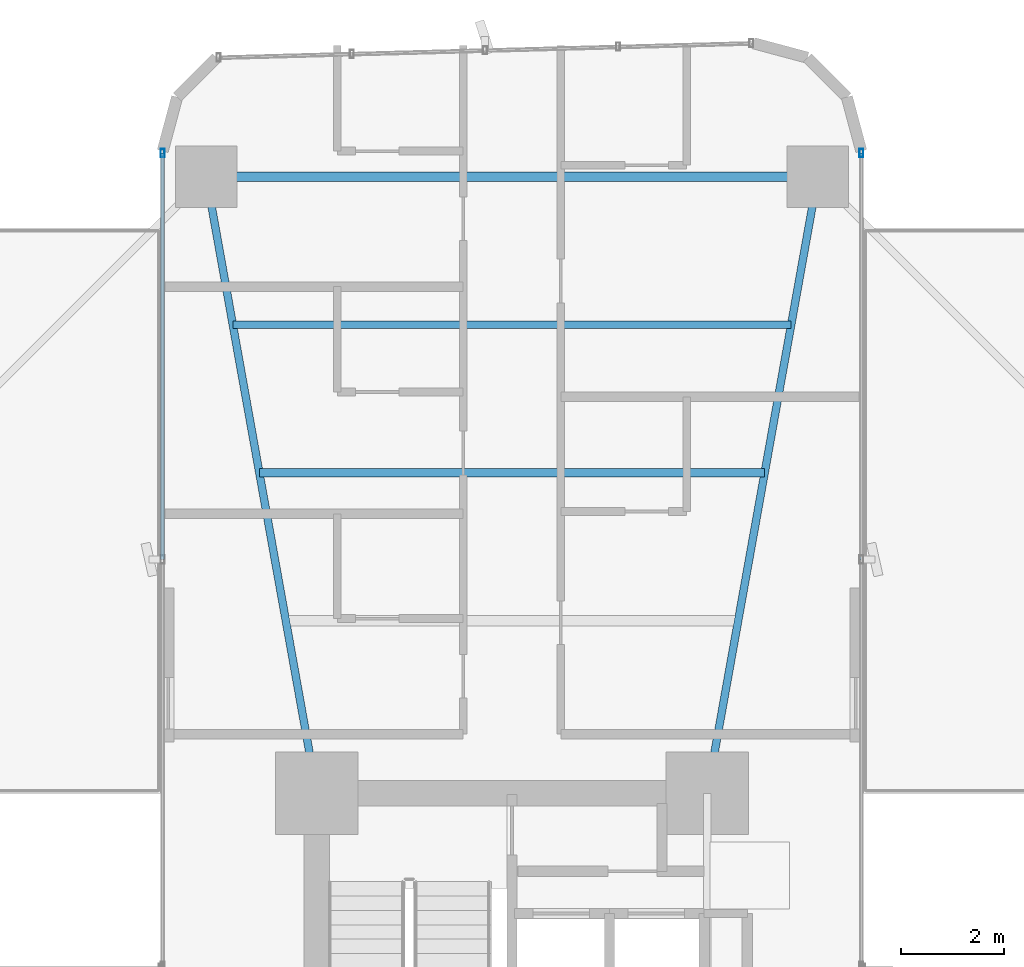
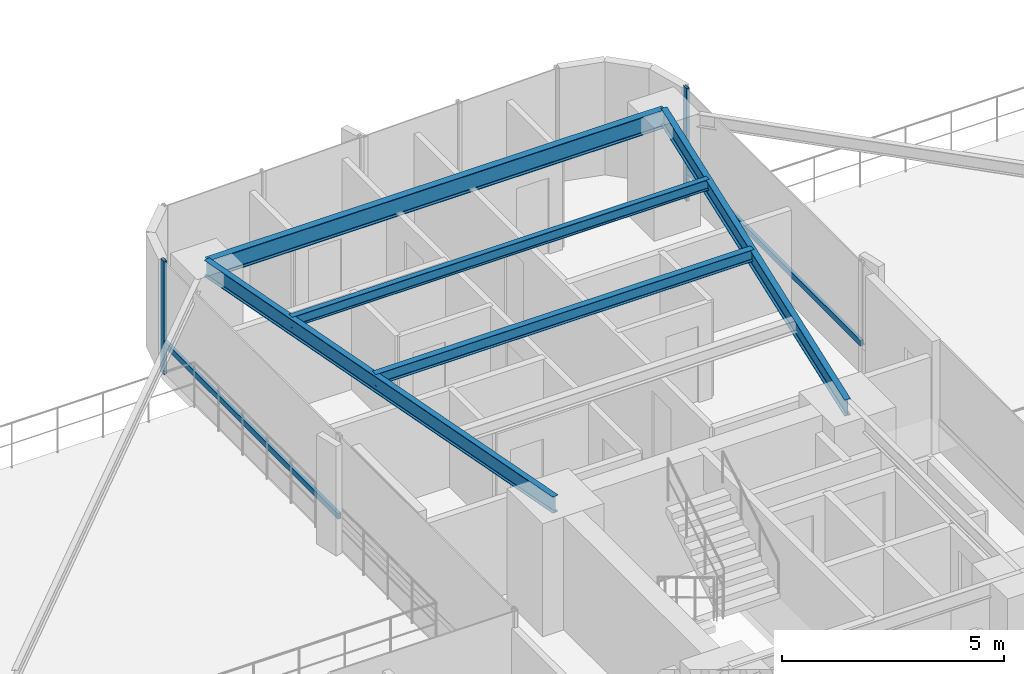
# One storey, part 18 of 27: 5 beams, 4 members, 2 elements without a shape of their own.
"""IFC4 building model written with IfcOpenShell, lengths in metres."""

from ifc_helpers import new_model, si_unit, direction, frame, origin, origin_2d, place, context, subcontext, project, spatial, hollow_rectangle, i_section, extrude, source, transform, mapped, material, material_profile, profile_set, type_object, element, aggregate, save


model = new_model("IFC4")

# Units and contexts
model_context = context("Model", 3, precision=1e-05, world=origin(), true_north=direction((0.0, 1.0)))
body_context = subcontext(model_context, "Body", "Model", "MODEL_VIEW")
ifc_project = project(units=[si_unit("LENGTHUNIT", "METRE"), si_unit("AREAUNIT", "SQUARE_METRE"), si_unit("VOLUMEUNIT", "CUBIC_METRE"), si_unit("PLANEANGLEUNIT", "RADIAN"), si_unit("MASSUNIT", "GRAM", prefix="KILO")], contexts=[model_context])

# Site, building, storey
site_placement = place(None, origin())
site = spatial("IfcSite", under=ifc_project, at=site_placement, CompositionType="ELEMENT")
building_placement = place(site_placement, origin())
building = spatial("IfcBuilding", under=site, at=building_placement, Name="Sahyath Konkavel Grand Hotel", CompositionType="ELEMENT")
storey_placement = place(building_placement, frame((0.0, 0.0, 23.10009765625)))
storey = spatial("IfcBuildingStorey", under=building, at=storey_placement, Name="L05", CompositionType="ELEMENT", Elevation=23.10009765625)

# Beams
ifc_material_1 = material(Name="Steel E350", Category="steel")
ifc_material_profile_1 = material_profile(ifc_material_1, i_section(OverallWidth=0.179931640625, OverallDepth=0.5, WebThickness=0.01025390625, FlangeThickness=0.01708984375, FilletRadius=0.01708984375, at=origin_2d()), Name="ISMB 500")
ifc_profile_set_1 = profile_set([ifc_material_profile_1], Name="Steel E350")
beam_type_1 = type_object("IfcBeamType", Name="BM-ISMB500", PredefinedType="BEAM", material=ifc_profile_set_1)
shared_shape_1 = source(origin(), body_context, "Body", "SweptSolid", [
    extrude(i_section(OverallWidth=0.179931640625, OverallDepth=0.5, WebThickness=0.01025390625, FlangeThickness=0.01708984375, FilletRadius=0.01708984375, at=origin_2d()), origin(), (0.0, 0.0, 1.0), 11.89990234375),
])
beam_1_placement = place(storey_placement, frame((5.949951171875, 22.199951171875, 2.85986328125), z_axis=(-1.0, 0.0, 0.0), x_axis=(0.0, -1.0, 0.0)))
element("IfcBeam", 1, at=beam_1_placement, inside=storey, type_object=beam_type_1, Name="L05 Wing Tip Edge Beam N", PredefinedType="BEAM", context=body_context, shape_type="MappedRepresentation", body=[
    mapped(shared_shape_1, transform((0.0, 0.0, 0.0), scale=1.0)),
])
ifc_material_profile_2 = material_profile(ifc_material_1, i_section(OverallWidth=0.14990234375, OverallDepth=0.449951171875, WebThickness=0.009521484375, FlangeThickness=0.017333984375, FilletRadius=0.014892578125, at=origin_2d()), Name="ISMB 450")
ifc_profile_set_2 = profile_set([ifc_material_profile_2], Name="Steel E350")
beam_type_2 = type_object("IfcBeamType", Name="BM-ISMB450", PredefinedType="BEAM", material=ifc_profile_set_2)
shared_shape_2 = source(origin(), body_context, "Body", "SweptSolid", [
    extrude(i_section(OverallWidth=0.14990234375, OverallDepth=0.449951171875, WebThickness=0.009521484375, FlangeThickness=0.017333984375, FilletRadius=0.014892578125, at=origin_2d()), origin(), (0.0, 0.0, 1.0), 12.191162109375),
])
for number, where, z_axis, x_axis, name in (
    (2, (3.800048828125, 10.199951171875, 2.885009765625), (0.176350650305, 0.984327409014, 0.0), (-0.984327409014, 0.176350650305, 0.0), "L05 Cruciform Radial Girder NA"),
    (3, (-3.800048828125, 10.199951171875, 2.885009765625), (-0.176350650305, 0.984327409014, 0.0), (-0.984327409014, -0.176350650305, 0.0), "L05 Cruciform Radial Girder NB"),
):
    element("IfcBeam", number, at=place(storey_placement, frame(where, z_axis=z_axis, x_axis=x_axis)), inside=storey, type_object=beam_type_2, Name=name, PredefinedType="BEAM", context=body_context, shape_type="MappedRepresentation", body=[
        mapped(shared_shape_2, transform((0.0, 0.0, 0.0), scale=1.0)),
    ])
ifc_material_profile_3 = material_profile(ifc_material_1, i_section(OverallWidth=0.1650390625, OverallDepth=0.324951171875, WebThickness=0.007080078125, FlangeThickness=0.009765625, FilletRadius=0.014892578125, at=origin_2d()), Name="ISLB 325")
ifc_profile_set_3 = profile_set([ifc_material_profile_3], Name="Steel E350")
beam_type_3 = type_object("IfcBeamType", Name="BM-ISLB325", PredefinedType="BEAM", material=ifc_profile_set_3)
shared_shape_3 = source(origin(), body_context, "Body", "SweptSolid", [
    extrude(i_section(OverallWidth=0.1650390625, OverallDepth=0.324951171875, WebThickness=0.007080078125, FlangeThickness=0.009765625, FilletRadius=0.014892578125, at=origin_2d()), origin(), (0.0, 0.0, 1.0), 9.8359375),
])
beam_2_placement = place(storey_placement, frame((4.91796875, 16.43994140625, 2.947509765625), z_axis=(-1.0, 0.0, 0.0), x_axis=(0.0, -1.0, 0.0)))
element("IfcBeam", 4, at=beam_2_placement, inside=storey, type_object=beam_type_3, Name="L05 Secondary Floor Beam N-2", PredefinedType="BEAM", context=body_context, shape_type="MappedRepresentation", body=[
    mapped(shared_shape_3, transform((0.0, 0.0, 0.0), scale=1.0)),
])
ifc_material_profile_4 = material_profile(ifc_material_1, i_section(OverallWidth=0.139892578125, OverallDepth=0.300048828125, WebThickness=0.0078125, FlangeThickness=0.01318359375, FilletRadius=0.013916015625, at=origin_2d()), Name="ISMB 300")
ifc_profile_set_4 = profile_set([ifc_material_profile_4], Name="Steel E350")
beam_type_4 = type_object("IfcBeamType", Name="BM-ISMB300", PredefinedType="BEAM", material=ifc_profile_set_4)
shared_shape_4 = source(origin(), body_context, "Body", "SweptSolid", [
    extrude(i_section(OverallWidth=0.139892578125, OverallDepth=0.300048828125, WebThickness=0.0078125, FlangeThickness=0.01318359375, FilletRadius=0.013916015625, at=origin_2d()), origin(), (0.0, 0.0, 1.0), 10.8681640625),
])
beam_3_placement = place(storey_placement, frame((5.43408203125, 19.320068359375, 2.9599609375), z_axis=(-1.0, 0.0, 0.0), x_axis=(0.0, -1.0, 0.0)))
element("IfcBeam", 5, at=beam_3_placement, inside=storey, type_object=beam_type_4, Name="L05 Secondary Floor Beam N-3", PredefinedType="BEAM", context=body_context, shape_type="MappedRepresentation", body=[
    mapped(shared_shape_4, transform((0.0, 0.0, 0.0), scale=1.0)),
])

# Curtain wall, member
ifc_material_2 = material(Name="Anodised Bronze Aluminium & Low-E Glazing", Category="aluminium")
curtain_wall_type = type_object("IfcCurtainWallType", Name="CW-ZONE1", PredefinedType="NOTDEFINED", material=ifc_material_2)
curtain_wall_1_placement = place(storey_placement, origin())
curtain_wall_1 = element("IfcCurtainWall", 6, at=curtain_wall_1_placement, inside=storey, type_object=curtain_wall_type, Name="L05 Unitised Curtain Wall F8", PredefinedType="NOTDEFINED")
ifc_material_3 = material(Name="Anodised Bronze Aluminium", Category="aluminium")
ifc_material_profile_5 = material_profile(ifc_material_3, hollow_rectangle(XDim=0.080078125, YDim=0.159912109375, WallThickness=0.006103515625, at=origin_2d()), Name="RHS 160x80x6")
ifc_profile_set_5 = profile_set([ifc_material_profile_5], Name="Anodised Bronze Aluminium")
member_type_1 = type_object("IfcMemberType", Name="CW-MUL-160", PredefinedType="MULLION", material=ifc_profile_set_5)
shared_shape_5 = source(origin(), body_context, "Body", "SweptSolid", [
    extrude(hollow_rectangle(XDim=0.080078125, YDim=0.159912109375, WallThickness=0.006103515625, at=origin_2d()), origin(), (0.0, 0.0, 1.0), 3.10986328125),
])
member_1_placement = place(storey_placement, frame((6.800048828125, 22.659912109375, 0.0), z_axis=(0.0, 0.0, 1.0), x_axis=(1.0, 0.0, 0.0)))
member_1 = element("IfcMember", 7, at=member_1_placement, type_object=member_type_1, Name="L05 Curtain Wall Mullion F8-2", PredefinedType="MULLION", context=body_context, shape_type="MappedRepresentation", body=[
    mapped(shared_shape_5, transform((0.0, 0.0, 0.0), scale=1.0)),
])

curtain_wall_2_placement = place(storey_placement, origin())
curtain_wall_2 = element("IfcCurtainWall", 8, at=curtain_wall_2_placement, inside=storey, type_object=curtain_wall_type, Name="L05 Unitised Curtain Wall F15", PredefinedType="NOTDEFINED")
member_2_placement = place(storey_placement, frame((-6.800048828125, 22.659912109375, 0.0), z_axis=(0.0, 0.0, 1.0), x_axis=(1.0, 0.0, 0.0)))
member_2 = element("IfcMember", 9, at=member_2_placement, type_object=member_type_1, Name="L05 Curtain Wall Mullion F15-0", PredefinedType="MULLION", context=body_context, shape_type="MappedRepresentation", body=[
    mapped(shared_shape_5, transform((0.0, 0.0, 0.0), scale=1.0)),
])

# Member
ifc_material_profile_6 = material_profile(ifc_material_3, hollow_rectangle(XDim=0.080078125, YDim=0.159912109375, WallThickness=0.006103515625, at=origin_2d()), Name="RHS 160x80x6")
ifc_profile_set_6 = profile_set([ifc_material_profile_6], Name="Anodised Bronze Aluminium")
member_type_2 = type_object("IfcMemberType", Name="CW-TRN-160", PredefinedType="USERDEFINED", material=ifc_profile_set_6)
shared_shape_6 = source(origin(), body_context, "Body", "SweptSolid", [
    extrude(hollow_rectangle(XDim=0.080078125, YDim=0.159912109375, WallThickness=0.006103515625, at=origin_2d()), origin(), (0.0, 0.0, 1.0), 7.909912109375),
])
member_3_placement = place(storey_placement, frame((6.800048828125, 14.75, 0.849853515625), z_axis=(0.0, 1.0, 0.0), x_axis=(-1.0, 0.0, 0.0)))
member_3 = element("IfcMember", 10, at=member_3_placement, type_object=member_type_2, Name="L05 Curtain Wall Transom F8-1-spandrel", ObjectType="TRANSOM", PredefinedType="USERDEFINED", context=body_context, shape_type="MappedRepresentation", body=[
    mapped(shared_shape_6, transform((0.0, 0.0, 0.0), scale=1.0)),
])

aggregate(curtain_wall_1, [member_1, member_3])

member_4_placement = place(storey_placement, frame((-6.800048828125, 22.659912109375, 0.849853515625), z_axis=(0.0, -1.0, 0.0), x_axis=(1.0, 0.0, 0.0)))
member_4 = element("IfcMember", 11, at=member_4_placement, type_object=member_type_2, Name="L05 Curtain Wall Transom F15-0-spandrel", ObjectType="TRANSOM", PredefinedType="USERDEFINED", context=body_context, shape_type="MappedRepresentation", body=[
    mapped(shared_shape_6, transform((0.0, 0.0, 0.0), scale=1.0)),
])

aggregate(curtain_wall_2, [member_2, member_4])

save(model, "model.ifc")
